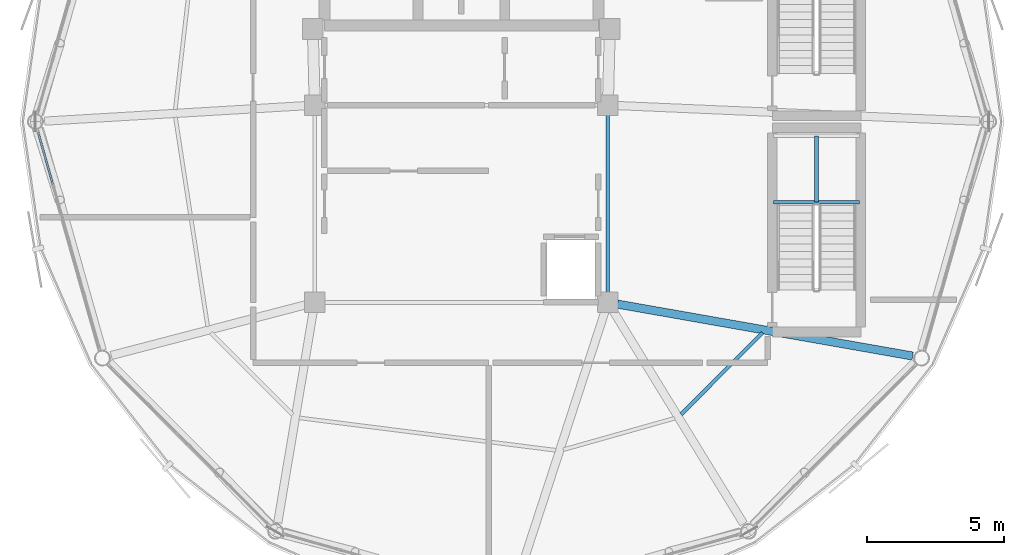
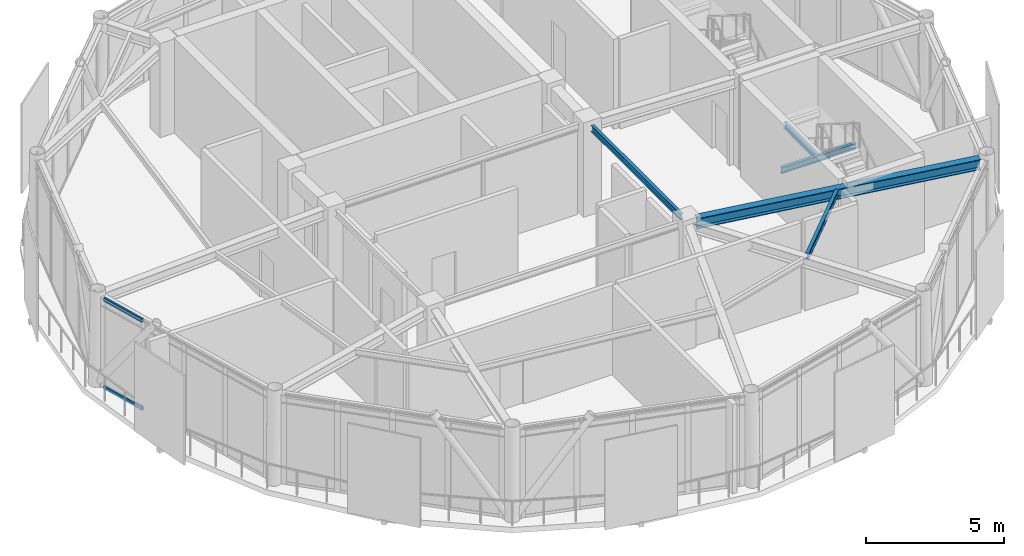
# One storey, part 6 of 20: 5 beams, 2 members, 1 element without a shape of its own.
"""IFC4 building model written with IfcOpenShell, lengths in metres."""

from ifc_helpers import new_model, si_unit, direction, frame, origin, origin_2d, place, context, subcontext, project, spatial, hollow_rectangle, i_section, extrude, material, layer, layer_set, material_profile, profile_set, type_object, element, aggregate, save


model = new_model("IFC4")

# Units and contexts
model_context = context("Model", 3, precision=1e-05, world=origin(), true_north=direction((0.0, 1.0)))
body_context = subcontext(model_context, "Body", "Model", "MODEL_VIEW")
ifc_project = project(units=[si_unit("LENGTHUNIT", "METRE"), si_unit("AREAUNIT", "SQUARE_METRE"), si_unit("VOLUMEUNIT", "CUBIC_METRE"), si_unit("PLANEANGLEUNIT", "RADIAN"), si_unit("MASSUNIT", "GRAM", prefix="KILO")], contexts=[model_context])

# Site, building, storey
site_placement = place(None, origin())
site = spatial("IfcSite", under=ifc_project, at=site_placement, CompositionType="ELEMENT")
building_placement = place(site_placement, origin())
building = spatial("IfcBuilding", under=site, at=building_placement, Name="Varnakorn Sky Granary", CompositionType="ELEMENT")
storey_placement = place(building_placement, frame((0.0, 0.0, 306.60009765625)))
storey = spatial("IfcBuildingStorey", under=building, at=storey_placement, Name="L78", CompositionType="ELEMENT", Elevation=306.60009765625)

# Beams
ifc_material_1 = material(Name="Steel S355JR", Category="steel")
ifc_material_profile_1 = material_profile(ifc_material_1, i_section(OverallWidth=0.135009765625, OverallDepth=0.27001953125, WebThickness=0.006591796875, FlangeThickness=0.01025390625, at=origin_2d()), Name="IPE 270")
ifc_profile_set_1 = profile_set([ifc_material_profile_1], Name="Steel S355JR")
beam_type_1 = type_object("IfcBeamType", Name="BM-LND-270", PredefinedType="BEAM", material=ifc_profile_set_1)
beam_1_placement = place(storey_placement, frame((14.39990234375, -2.93994140625, 1.764892578125), z_axis=(1.0, 0.0, 0.0), x_axis=(0.0, 1.0, 0.0)))
element("IfcBeam", 1, at=beam_1_placement, inside=storey, type_object=beam_type_1, Name="Stair ST-C2 Landing Trimmer Beam A L78-1", PredefinedType="BEAM", context=body_context, shape_type="SweptSolid", body=[
    extrude(i_section(OverallWidth=0.135009765625, OverallDepth=0.27001953125, WebThickness=0.006591796875, FlangeThickness=0.01025390625, at=origin_2d()), origin(), (0.0, 0.0, 1.0), 3.130126953125),
])
beam_2_placement = place(storey_placement, frame((15.965087890625, -2.93994140625, 1.764892578125), z_axis=(0.0, 1.0, 0.0), x_axis=(-1.0, 0.0, 0.0)))
element("IfcBeam", 2, at=beam_2_placement, inside=storey, type_object=beam_type_1, Name="Stair ST-C2 Landing Cross Beam C L78-1", PredefinedType="BEAM", context=body_context, shape_type="SweptSolid", body=[
    extrude(i_section(OverallWidth=0.135009765625, OverallDepth=0.27001953125, WebThickness=0.006591796875, FlangeThickness=0.01025390625, at=origin_2d()), origin(), (0.0, 0.0, 1.0), 2.419921875),
])
ifc_material_profile_2 = material_profile(ifc_material_1, i_section(OverallWidth=0.300048828125, OverallDepth=0.449951171875, WebThickness=0.013916015625, FlangeThickness=0.02587890625, at=origin_2d()), Name="HE 450 B")
ifc_profile_set_2 = profile_set([ifc_material_profile_2], Name="Steel S355JR")
beam_type_2 = type_object("IfcBeamType", Name="BM-RAD-Z5", PredefinedType="BEAM", material=ifc_profile_set_2)
beam_3_placement = place(storey_placement, frame((8.69970703125, -6.66162109375, 3.73486328125), z_axis=(0.984856494417, -0.173371524206, 0.0), x_axis=(0.173371524206, 0.984856494417, 0.0)))
element("IfcBeam", 3, at=beam_3_placement, inside=storey, type_object=beam_type_2, Name="Radial Floor Girder RG12 L78", PredefinedType="BEAM", context=body_context, shape_type="SweptSolid", body=[
    extrude(i_section(OverallWidth=0.300048828125, OverallDepth=0.449951171875, WebThickness=0.013916015625, FlangeThickness=0.02587890625, at=origin_2d()), origin(), (0.0, 0.0, 1.0), 10.93896484375),
])
ifc_material_profile_3 = material_profile(ifc_material_1, i_section(OverallWidth=0.135009765625, OverallDepth=0.27001953125, WebThickness=0.006591796875, FlangeThickness=0.01025390625, at=origin_2d()), Name="IPE 270")
ifc_profile_set_3 = profile_set([ifc_material_profile_3], Name="Steel S355JR")
beam_type_3 = type_object("IfcBeamType", Name="BM-SEC-Z5", PredefinedType="BEAM", material=ifc_profile_set_3)
beam_4_placement = place(storey_placement, frame((11.018798828125, -10.690673828125, 3.824951171875), z_axis=(0.705567482871, 0.70864273588, 0.0), x_axis=(-0.70864273588, 0.705567482871, 0.0)))
element("IfcBeam", 4, at=beam_4_placement, inside=storey, type_object=beam_type_3, Name="Secondary Floor Chord Beam MSB11 L78", PredefinedType="BEAM", context=body_context, shape_type="SweptSolid", body=[
    extrude(i_section(OverallWidth=0.135009765625, OverallDepth=0.27001953125, WebThickness=0.006591796875, FlangeThickness=0.01025390625, at=origin_2d()), origin(), (0.0, 0.0, 1.0), 4.20751953125),
])
beam_5_placement = place(storey_placement, frame((8.35009765625, 0.2451171875, 3.824951171875), z_axis=(0.0, -1.0, 0.0), x_axis=(1.0, 0.0, 0.0)))
element("IfcBeam", 5, at=beam_5_placement, inside=storey, type_object=beam_type_3, Name="Core Spine Framing Beam 4 L78", PredefinedType="BEAM", context=body_context, shape_type="SweptSolid", body=[
    extrude(i_section(OverallWidth=0.135009765625, OverallDepth=0.27001953125, WebThickness=0.006591796875, FlangeThickness=0.01025390625, at=origin_2d()), origin(), (0.0, 0.0, 1.0), 6.490234375),
])

# Curtain wall, members
ifc_material_2 = material(Name="Anodised Bronze Aluminium Alloy 6063-T6", Category="aluminium")
ifc_layer = layer(ifc_material_2, 0.22998046875, Name="Anodised Bronze Aluminium Alloy 6063-T6")
ifc_layer_set = layer_set([ifc_layer], Name="Anodised Bronze Aluminium Alloy 6063-T6")
curtain_wall_type = type_object("IfcCurtainWallType", Name="CW-LNT-1", PredefinedType="USERDEFINED", material=ifc_layer_set)
curtain_wall_placement = place(storey_placement, origin())
curtain_wall = element("IfcCurtainWall", 6, at=curtain_wall_placement, inside=storey, type_object=curtain_wall_type, Name="Unitised Curtain Wall CW7 CW-L78-B07", ObjectType="CURTAIN WALL", PredefinedType="USERDEFINED")
ifc_material_profile_4 = material_profile(ifc_material_2, hollow_rectangle(XDim=0.074951171875, YDim=0.159912109375, WallThickness=0.00390625, at=origin_2d()), Name="ALU TRAN 75x160")
ifc_profile_set_4 = profile_set([ifc_material_profile_4], Name="Anodised Bronze Aluminium Alloy 6063-T6")
member_type = type_object("IfcMemberType", Name="CW-LNT-1-TRAN", PredefinedType="USERDEFINED", material=ifc_profile_set_4)
member_1_placement = place(storey_placement, frame((-11.90869140625, -2.287109375, 0.037353515625), z_axis=(-0.272650547576, 0.962113132072, 0.0), x_axis=(-0.962113132072, -0.272650547576, 0.0)))
member_1 = element("IfcMember", 7, at=member_1_placement, type_object=member_type, Name="CW7 transom 4.1", ObjectType="TRANSOM", PredefinedType="USERDEFINED", context=body_context, shape_type="SweptSolid", body=[
    extrude(hollow_rectangle(XDim=0.074951171875, YDim=0.159912109375, WallThickness=0.00390625, at=origin_2d()), origin(), (0.0, 0.0, 1.0), 1.962890625),
])
member_2_placement = place(storey_placement, frame((-11.90869140625, -2.287109375, 3.92236328125), z_axis=(-0.272650547576, 0.962113132072, 0.0), x_axis=(-0.962113132072, -0.272650547576, 0.0)))
member_2 = element("IfcMember", 8, at=member_2_placement, type_object=member_type, Name="CW7 transom 4.2", ObjectType="TRANSOM", PredefinedType="USERDEFINED", context=body_context, shape_type="SweptSolid", body=[
    extrude(hollow_rectangle(XDim=0.074951171875, YDim=0.159912109375, WallThickness=0.00390625, at=origin_2d()), origin(), (0.0, 0.0, 1.0), 1.962890625),
])
aggregate(curtain_wall, [member_1, member_2])

save(model, "model.ifc")
